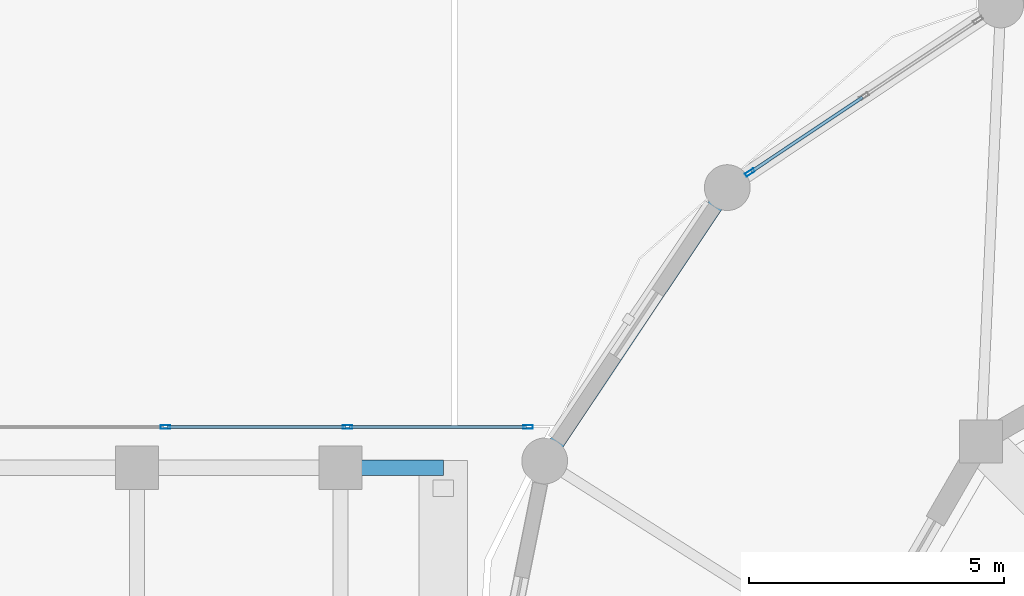
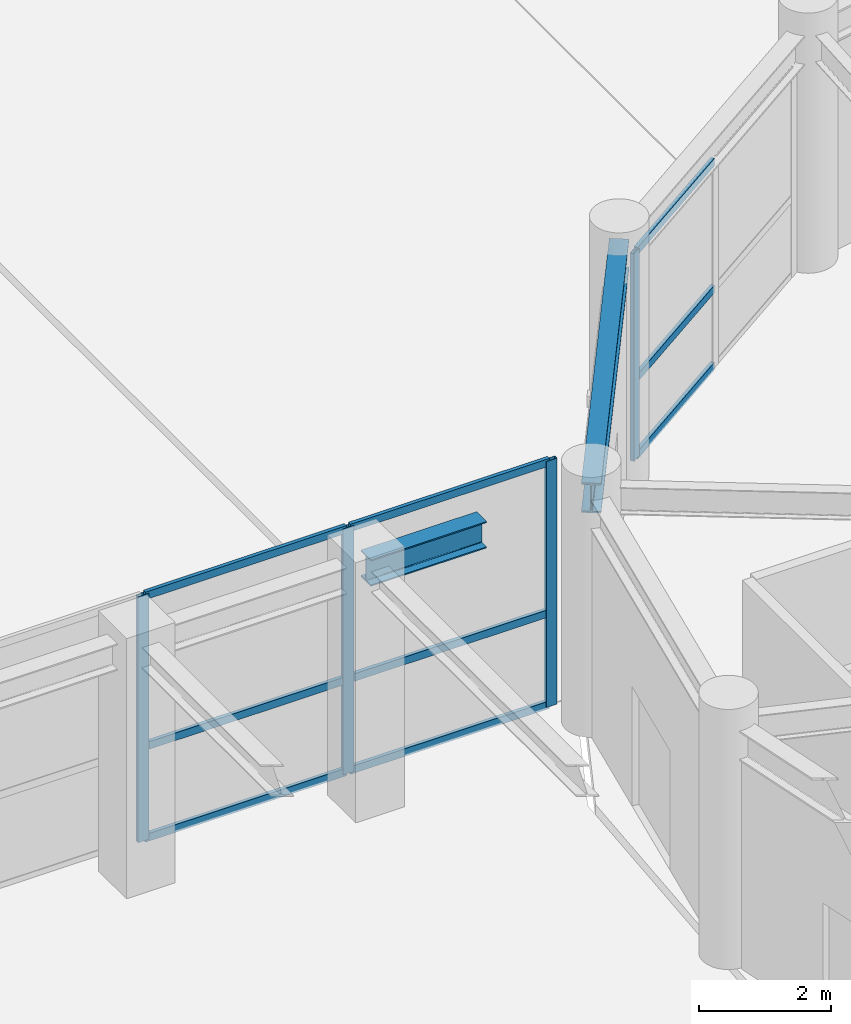
# One storey, part 17 of 40: 13 members, 2 beams, 2 elements without a shape of their own.
"""IFC4 building model written with IfcOpenShell, lengths in metres."""

from ifc_helpers import new_model, si_unit, derived_unit, direction, frame, origin, origin_2d, place, context, subcontext, project, spatial, hollow_rectangle, i_section, extrude, source, transform, mapped, material, layer, layer_set, material_profile, profile_set, type_object, element, aggregate, save


model = new_model("IFC4")

# Units and contexts
model_context = context("Model", 3, precision=1e-05, world=origin(), true_north=direction((0.0, 1.0)))
body_context = subcontext(model_context, "Body", "Model", "MODEL_VIEW")
ifc_project = project(units=[si_unit("LENGTHUNIT", "METRE"), si_unit("AREAUNIT", "SQUARE_METRE"), si_unit("VOLUMEUNIT", "CUBIC_METRE"), si_unit("PLANEANGLEUNIT", "RADIAN"), si_unit("MASSUNIT", "GRAM", prefix="KILO"), derived_unit("THERMALTRANSMITTANCEUNIT", [(si_unit("POWERUNIT", "WATT"), 1), (si_unit("LENGTHUNIT", "METRE"), -2), (si_unit("THERMODYNAMICTEMPERATUREUNIT", "KELVIN"), -1)])], contexts=[model_context])

# Site, building, storey
site_placement = place(None, origin())
site = spatial("IfcSite", under=ifc_project, at=site_placement, CompositionType="ELEMENT")
building_placement = place(site_placement, origin())
building = spatial("IfcBuilding", under=site, at=building_placement, Name="Korsvarv Bourse and Concert Hall", CompositionType="ELEMENT")
storey_placement = place(building_placement, origin())
storey = spatial("IfcBuildingStorey", under=building, at=storey_placement, Name="L00", CompositionType="ELEMENT", Elevation=0.0)

# Beams
ifc_material_1 = material(Name="Steel S355", Category="steel")
ifc_material_profile_1 = material_profile(ifc_material_1, i_section(OverallWidth=0.300048828125, OverallDepth=0.489990234375, WebThickness=0.011962890625, FlangeThickness=0.02294921875, FilletRadius=0.02392578125, at=origin_2d()), Name="HEA 500")
ifc_profile_set_1 = profile_set([ifc_material_profile_1], Name="Steel S355")
beam_type_1 = type_object("IfcBeamType", Name="BM-HEA500", PredefinedType="BEAM", material=ifc_profile_set_1)
shared_shape_1 = source(origin(), body_context, "Body", "SweptSolid", [
    extrude(i_section(OverallWidth=0.300048828125, OverallDepth=0.489990234375, WebThickness=0.011962890625, FlangeThickness=0.02294921875, FilletRadius=0.02392578125, at=origin_2d()), origin(), (0.0, 0.0, 1.0), 2.02001953125),
])
beam_1_placement = place(storey_placement, frame((87.5, 42.199951171875, 4.294921875), z_axis=(1.0, 0.0, 0.0), x_axis=(0.0, 1.0, 0.0)))
element("IfcBeam", 1, at=beam_1_placement, inside=storey, type_object=beam_type_1, Name="L00 beam B-10", PredefinedType="BEAM", context=body_context, shape_type="MappedRepresentation", body=[
    mapped(shared_shape_1, transform((0.0, 0.0, 0.0), scale=1.0)),
])
ifc_material_profile_2 = material_profile(ifc_material_1, i_section(OverallWidth=0.300048828125, OverallDepth=0.550048828125, WebThickness=0.014892578125, FlangeThickness=0.029052734375, FilletRadius=0.02392578125, at=origin_2d()), Name="HEB 550")
ifc_profile_set_2 = profile_set([ifc_material_profile_2], Name="Steel S355")
beam_type_2 = type_object("IfcBeamType", Name="BM-HEB550", PredefinedType="BEAM", material=ifc_profile_set_2)
shared_shape_2 = source(origin(), body_context, "Body", "SweptSolid", [
    extrude(i_section(OverallWidth=0.300048828125, OverallDepth=0.550048828125, WebThickness=0.014892578125, FlangeThickness=0.029052734375, FilletRadius=0.02392578125, at=origin_2d()), origin(), (0.0, 0.0, 1.0), 6.45751953125),
])
beam_2_placement = place(storey_placement, frame((95.097412109375, 47.70263671875, 4.10498046875), z_axis=(-0.55558109052, -0.83146235745, 0.0), x_axis=(0.83146235745, -0.55558109052, 0.0)))
element("IfcBeam", 2, at=beam_2_placement, inside=storey, type_object=beam_type_2, Name="L00 beam B-06", PredefinedType="BEAM", context=body_context, shape_type="MappedRepresentation", body=[
    mapped(shared_shape_2, transform((0.0, 0.0, 0.0), scale=1.0)),
])

# Curtain wall, members
ifc_material_2 = material(Name="Anodised aluminium and triple low-E glazing", Category="glass")
ifc_layer_1 = layer(ifc_material_2, 0.239990234375)
ifc_layer_set_1 = layer_set([ifc_layer_1], Name="Anodised aluminium and triple low-E glazing")
curtain_wall_type_1 = type_object("IfcCurtainWallType", Name="CW-SYS-5", PredefinedType="NOTDEFINED", material=ifc_layer_set_1)
curtain_wall_1_placement = place(storey_placement, origin())
curtain_wall_1 = element("IfcCurtainWall", 3, at=curtain_wall_1_placement, inside=storey, type_object=curtain_wall_type_1, Name="L00 CW5 curtain wall CW-L00-LKN", PredefinedType="NOTDEFINED")
ifc_material_3 = material(Name="Extruded aluminium EN AW-6063 T66", Category="aluminium")
ifc_material_profile_3 = material_profile(ifc_material_3, hollow_rectangle(XDim=0.070068359375, YDim=0.18994140625, WallThickness=0.0048828125, at=origin_2d()), Name="ALU-M 70x190")
ifc_profile_set_3 = profile_set([ifc_material_profile_3], Name="Extruded aluminium EN AW-6063 T66")
member_type_1 = type_object("IfcMemberType", Name="CWM-190", PredefinedType="MULLION", material=ifc_profile_set_3)
shared_shape_3 = source(origin(), body_context, "Body", "SweptSolid", [
    extrude(hollow_rectangle(XDim=0.070068359375, YDim=0.18994140625, WallThickness=0.0048828125, at=origin_2d()), origin(), (0.0, 0.0, 1.0), 4.5400390625),
])
member_1_placement = place(storey_placement, frame((84.06005859375, 43.0, 0.0), z_axis=(0.0, 0.0, 1.0), x_axis=(0.0, 1.0, 0.0)))
member_1 = element("IfcMember", 4, at=member_1_placement, type_object=member_type_1, Name="CW5 mullion 6", PredefinedType="MULLION", context=body_context, shape_type="MappedRepresentation", body=[
    mapped(shared_shape_3, transform((0.0, 0.0, 0.0), scale=1.0)),
])
member_2_placement = place(storey_placement, frame((87.639892578125, 43.0, 0.0), z_axis=(0.0, 0.0, 1.0), x_axis=(0.0, 1.0, 0.0)))
member_2 = element("IfcMember", 5, at=member_2_placement, type_object=member_type_1, Name="CW5 mullion 7", PredefinedType="MULLION", context=body_context, shape_type="MappedRepresentation", body=[
    mapped(shared_shape_3, transform((0.0, 0.0, 0.0), scale=1.0)),
])
member_3_placement = place(storey_placement, frame((91.18505859375, 43.0, 0.0), z_axis=(0.0, 0.0, 1.0), x_axis=(0.0, 1.0, 0.0)))
member_3 = element("IfcMember", 6, at=member_3_placement, type_object=member_type_1, Name="CW5 mullion 8", PredefinedType="MULLION", context=body_context, shape_type="MappedRepresentation", body=[
    mapped(shared_shape_3, transform((0.0, 0.0, 0.0), scale=1.0)),
])
ifc_material_profile_4 = material_profile(ifc_material_3, hollow_rectangle(XDim=0.06494140625, YDim=0.139892578125, WallThickness=0.00390625, at=origin_2d()), Name="ALU-T 65x140")
ifc_profile_set_4 = profile_set([ifc_material_profile_4], Name="Extruded aluminium EN AW-6063 T66")
member_type_2 = type_object("IfcMemberType", Name="CWT-140", PredefinedType="USERDEFINED", material=ifc_profile_set_4)
shared_shape_4 = source(origin(), body_context, "Body", "SweptSolid", [
    extrude(hollow_rectangle(XDim=0.06494140625, YDim=0.139892578125, WallThickness=0.00390625, at=origin_2d()), origin(), (0.0, 0.0, 1.0), 3.510009765625),
])
member_4_placement = place(storey_placement, frame((84.094970703125, 43.0, 0.032470703125), z_axis=(1.0, 0.0, 0.0), x_axis=(0.0, 1.0, 0.0)))
member_4 = element("IfcMember", 7, at=member_4_placement, type_object=member_type_2, Name="CW5 transom 6.1", ObjectType="TRANSOM", PredefinedType="USERDEFINED", context=body_context, shape_type="MappedRepresentation", body=[
    mapped(shared_shape_4, transform((0.0, 0.0, 0.0), scale=1.0)),
])
member_5_placement = place(storey_placement, frame((84.094970703125, 43.0, 1.72509765625), z_axis=(1.0, 0.0, 0.0), x_axis=(0.0, 1.0, 0.0)))
member_5 = element("IfcMember", 8, at=member_5_placement, type_object=member_type_2, Name="CW5 transom 6.2", ObjectType="TRANSOM", PredefinedType="USERDEFINED", context=body_context, shape_type="MappedRepresentation", body=[
    mapped(shared_shape_4, transform((0.0, 0.0, 0.0), scale=1.0)),
])
member_6_placement = place(storey_placement, frame((84.094970703125, 43.0, 4.507568359375), z_axis=(1.0, 0.0, 0.0), x_axis=(0.0, 1.0, 0.0)))
member_6 = element("IfcMember", 9, at=member_6_placement, type_object=member_type_2, Name="CW5 transom 6.3", ObjectType="TRANSOM", PredefinedType="USERDEFINED", context=body_context, shape_type="MappedRepresentation", body=[
    mapped(shared_shape_4, transform((0.0, 0.0, 0.0), scale=1.0)),
])
shared_shape_5 = source(origin(), body_context, "Body", "SweptSolid", [
    extrude(hollow_rectangle(XDim=0.06494140625, YDim=0.139892578125, WallThickness=0.00390625, at=origin_2d()), origin(), (0.0, 0.0, 1.0), 3.474853515625),
])
member_7_placement = place(storey_placement, frame((87.675048828125, 43.0, 0.032470703125), z_axis=(1.0, 0.0, 0.0), x_axis=(0.0, 1.0, 0.0)))
member_7 = element("IfcMember", 10, at=member_7_placement, type_object=member_type_2, Name="CW5 transom 7.1", ObjectType="TRANSOM", PredefinedType="USERDEFINED", context=body_context, shape_type="MappedRepresentation", body=[
    mapped(shared_shape_5, transform((0.0, 0.0, 0.0), scale=1.0)),
])
member_8_placement = place(storey_placement, frame((87.675048828125, 43.0, 1.72509765625), z_axis=(1.0, 0.0, 0.0), x_axis=(0.0, 1.0, 0.0)))
member_8 = element("IfcMember", 11, at=member_8_placement, type_object=member_type_2, Name="CW5 transom 7.2", ObjectType="TRANSOM", PredefinedType="USERDEFINED", context=body_context, shape_type="MappedRepresentation", body=[
    mapped(shared_shape_5, transform((0.0, 0.0, 0.0), scale=1.0)),
])
member_9_placement = place(storey_placement, frame((87.675048828125, 43.0, 4.507568359375), z_axis=(1.0, 0.0, 0.0), x_axis=(0.0, 1.0, 0.0)))
member_9 = element("IfcMember", 12, at=member_9_placement, type_object=member_type_2, Name="CW5 transom 7.3", ObjectType="TRANSOM", PredefinedType="USERDEFINED", context=body_context, shape_type="MappedRepresentation", body=[
    mapped(shared_shape_5, transform((0.0, 0.0, 0.0), scale=1.0)),
])
aggregate(curtain_wall_1, [member_1, member_2, member_3, member_4, member_5, member_6, member_7, member_8, member_9])

ifc_layer_2 = layer(ifc_material_2, 0.22998046875)
ifc_layer_set_2 = layer_set([ifc_layer_2], Name="Anodised aluminium and triple low-E glazing")
curtain_wall_type_2 = type_object("IfcCurtainWallType", Name="CW-SYS-6", PredefinedType="NOTDEFINED", material=ifc_layer_set_2)
curtain_wall_2_placement = place(storey_placement, origin())
curtain_wall_2 = element("IfcCurtainWall", 13, at=curtain_wall_2_placement, inside=storey, type_object=curtain_wall_type_2, Name="L00 CW6 curtain wall CW-L00-CH06", PredefinedType="NOTDEFINED")
shared_shape_6 = source(origin(), body_context, "Body", "SweptSolid", [
    extrude(hollow_rectangle(XDim=0.070068359375, YDim=0.18994140625, WallThickness=0.0048828125, at=origin_2d()), origin(), (0.0, 0.0, 1.0), 3.830078125),
])
member_10_placement = place(storey_placement, frame((95.54248046875, 48.0, 0.0), z_axis=(0.0, 0.0, 1.0), x_axis=(0.555571024599, -0.831469083386, 0.0)))
member_10 = element("IfcMember", 14, at=member_10_placement, type_object=member_type_1, Name="CW6 mullion 3", PredefinedType="MULLION", context=body_context, shape_type="MappedRepresentation", body=[
    mapped(shared_shape_6, transform((0.0, 0.0, 0.0), scale=1.0)),
])
shared_shape_7 = source(origin(), body_context, "Body", "SweptSolid", [
    extrude(hollow_rectangle(XDim=0.06494140625, YDim=0.139892578125, WallThickness=0.00390625, at=origin_2d()), origin(), (0.0, 0.0, 1.0), 2.62353515625),
])
member_11_placement = place(storey_placement, frame((97.7529296875, 49.47705078125, 0.032470703125), z_axis=(-0.831434196411, -0.55562323299, 0.0), x_axis=(0.55562323299, -0.831434196411, 0.0)))
member_11 = element("IfcMember", 15, at=member_11_placement, type_object=member_type_2, Name="CW6 transom 2.1", ObjectType="TRANSOM", PredefinedType="USERDEFINED", context=body_context, shape_type="MappedRepresentation", body=[
    mapped(shared_shape_7, transform((0.0, 0.0, 0.0), scale=1.0)),
])
member_12_placement = place(storey_placement, frame((97.7529296875, 49.47705078125, 1.455322265625), z_axis=(-0.831434196411, -0.55562323299, 0.0), x_axis=(0.55562323299, -0.831434196411, 0.0)))
member_12 = element("IfcMember", 16, at=member_12_placement, type_object=member_type_2, Name="CW6 transom 2.2", ObjectType="TRANSOM", PredefinedType="USERDEFINED", context=body_context, shape_type="MappedRepresentation", body=[
    mapped(shared_shape_7, transform((0.0, 0.0, 0.0), scale=1.0)),
])
member_13_placement = place(storey_placement, frame((97.7529296875, 49.47705078125, 3.797607421875), z_axis=(-0.831434196411, -0.55562323299, 0.0), x_axis=(0.55562323299, -0.831434196411, 0.0)))
member_13 = element("IfcMember", 17, at=member_13_placement, type_object=member_type_2, Name="CW6 transom 2.3", ObjectType="TRANSOM", PredefinedType="USERDEFINED", context=body_context, shape_type="MappedRepresentation", body=[
    mapped(shared_shape_7, transform((0.0, 0.0, 0.0), scale=1.0)),
])
aggregate(curtain_wall_2, [member_10, member_11, member_12, member_13])

save(model, "model.ifc")
